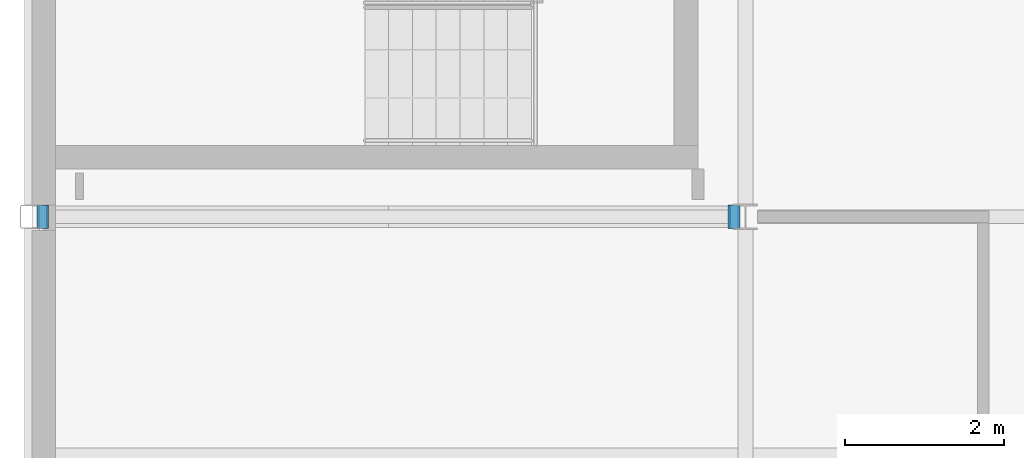
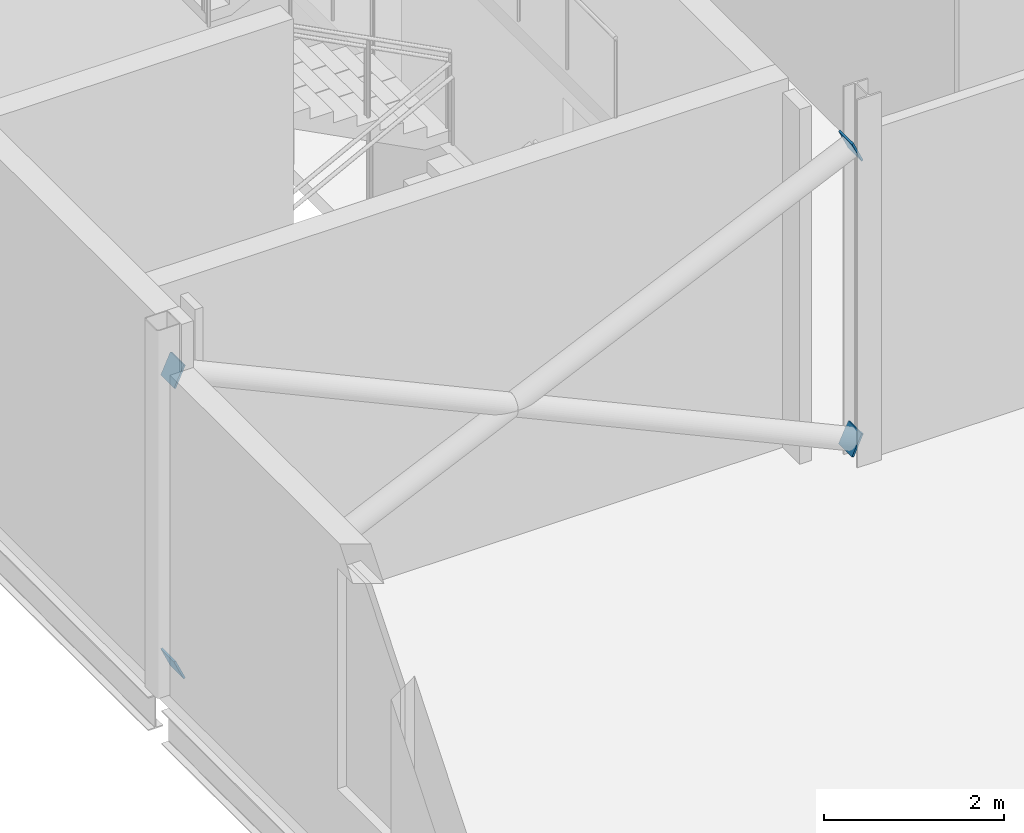
# One storey, part 100 of 112: 4 discrete accessories.
"""IFC4 building model written with IfcOpenShell, lengths in metres."""

from ifc_helpers import new_model, si_unit, direction, frame, origin, place, context, subcontext, project, spatial, polyline, outline, extrude, material, layer, layer_set, type_object, element, save


model = new_model("IFC4")

# Units and contexts
model_context = context("Model", 3, precision=1e-05, world=origin(), true_north=direction((0.0, 1.0)))
body_context = subcontext(model_context, "Body", "Model", "MODEL_VIEW")
ifc_project = project(units=[si_unit("LENGTHUNIT", "METRE"), si_unit("AREAUNIT", "SQUARE_METRE"), si_unit("VOLUMEUNIT", "CUBIC_METRE"), si_unit("PLANEANGLEUNIT", "RADIAN"), si_unit("MASSUNIT", "GRAM", prefix="KILO")], contexts=[model_context])

# Site, building, storey
site_placement = place(None, origin())
site = spatial("IfcSite", under=ifc_project, at=site_placement, CompositionType="ELEMENT")
building_placement = place(site_placement, origin())
building = spatial("IfcBuilding", under=site, at=building_placement, Name="Shorebreak Coast Museum", CompositionType="ELEMENT")
storey_placement = place(building_placement, frame((0.0, 0.0, 6.0)))
storey = spatial("IfcBuildingStorey", under=building, at=storey_placement, Name="L01", CompositionType="ELEMENT", Elevation=6.0)

# Discrete accessories
ifc_material = material(Name="Steel Grade 300", Category="steel")
ifc_layer = layer(ifc_material, 0.02490234375)
ifc_layer_set = layer_set([ifc_layer], Name="Steel Grade 300")
discrete_accessory_type = type_object("IfcDiscreteAccessoryType", Name="End plate 300 x 300 x 25", PredefinedType="BRACKET", material=ifc_layer_set)
discrete_accessory_1_placement = place(storey_placement, frame((0.21240234375, 80.85009765625, 0.16357421875), z_axis=(0.909360103086, 0.0, 0.416009859156), x_axis=(0.0, 1.0, 0.0)))
element("IfcDiscreteAccessory", 1, at=discrete_accessory_1_placement, inside=storey, type_object=discrete_accessory_type, Name="End plate X-brace bay 06 L01 diagonal 1 end 1", PredefinedType="BRACKET", context=body_context, shape_type="SweptSolid", body=[
    extrude(outline(polyline([(0.0, 0.0), (0.2998046875, 0.0), (0.2998046875, 0.29988678544336883), (0.0, 0.29988678544336883), (0.0, 0.0)])), origin(), (0.0, 0.0, -1.0), 0.02490234375),
])
discrete_accessory_2_placement = place(storey_placement, frame((8.9306640625, 80.85009765625, 4.14892578125), z_axis=(0.909500839953, 0.0, 0.415702083378), x_axis=(0.0, 1.0, 0.0)))
element("IfcDiscreteAccessory", 2, at=discrete_accessory_2_placement, inside=storey, type_object=discrete_accessory_type, Name="End plate X-brace bay 06 L01 diagonal 1 end 2", PredefinedType="BRACKET", context=body_context, shape_type="SweptSolid", body=[
    extrude(outline(polyline([(0.0, 0.0), (0.2998046875, 0.0), (0.2998046875, 0.30010881437343706), (0.0, 0.30010881437343706), (0.0, 0.0)])), origin(), (0.0, 0.0, -1.0), 0.02490234375),
])
discrete_accessory_3_placement = place(storey_placement, frame((8.783203125, 81.14990234375, 0.16357421875), z_axis=(-0.909360103086, 0.0, 0.416009859156), x_axis=(0.0, -1.0, 0.0)))
element("IfcDiscreteAccessory", 3, at=discrete_accessory_3_placement, inside=storey, type_object=discrete_accessory_type, Name="End plate X-brace bay 06 L01 diagonal 2 end 1", PredefinedType="BRACKET", context=body_context, shape_type="SweptSolid", body=[
    extrude(outline(polyline([(0.0, 0.0), (0.2998046875, 0.0), (0.2998046875, 0.29988678544336883), (0.0, 0.29988678544336883), (0.0, 0.0)])), origin(), (0.0, 0.0, -1.0), 0.02490234375),
])
discrete_accessory_4_placement = place(storey_placement, frame((0.06494140625, 81.14990234375, 4.14892578125), z_axis=(-0.909500839953, 0.0, 0.415702083378), x_axis=(0.0, -1.0, 0.0)))
element("IfcDiscreteAccessory", 4, at=discrete_accessory_4_placement, inside=storey, type_object=discrete_accessory_type, Name="End plate X-brace bay 06 L01 diagonal 2 end 2", PredefinedType="BRACKET", context=body_context, shape_type="SweptSolid", body=[
    extrude(outline(polyline([(0.0, 0.0), (0.2998046875, 0.0), (0.2998046875, 0.30010881437343706), (0.0, 0.30010881437343706), (0.0, 0.0)])), origin(), (0.0, 0.0, -1.0), 0.02490234375),
])

save(model, "model.ifc")
